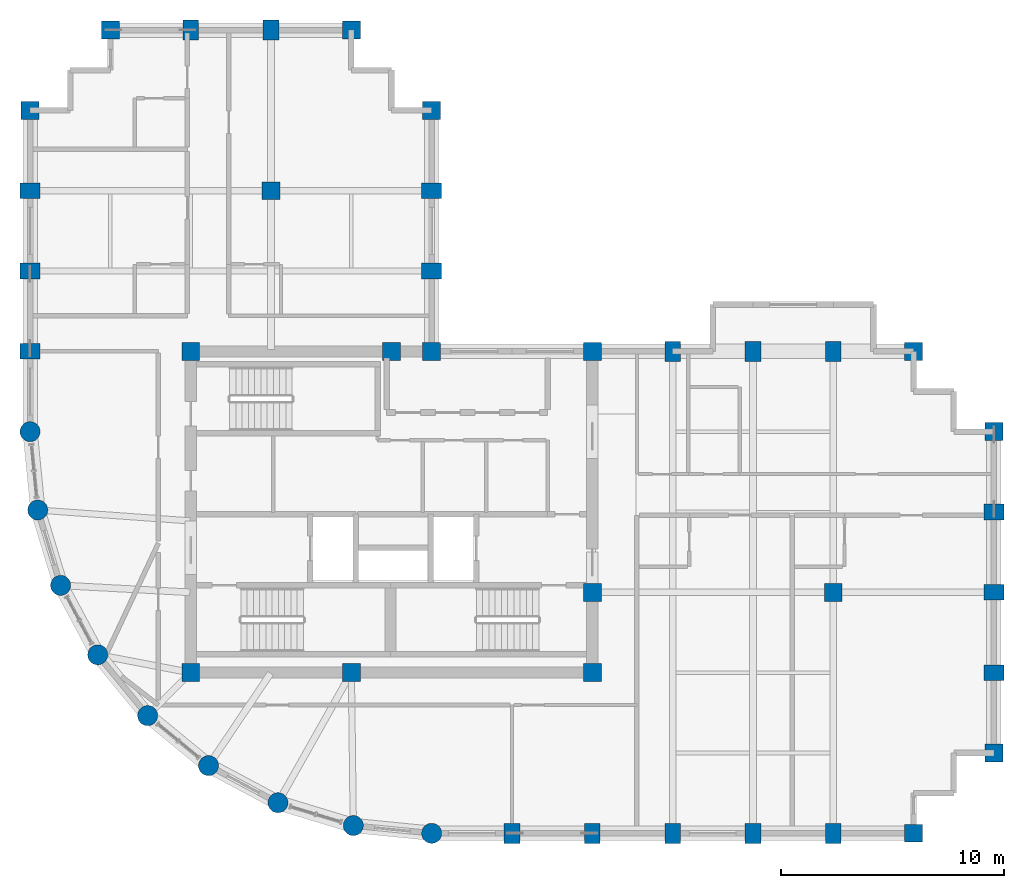
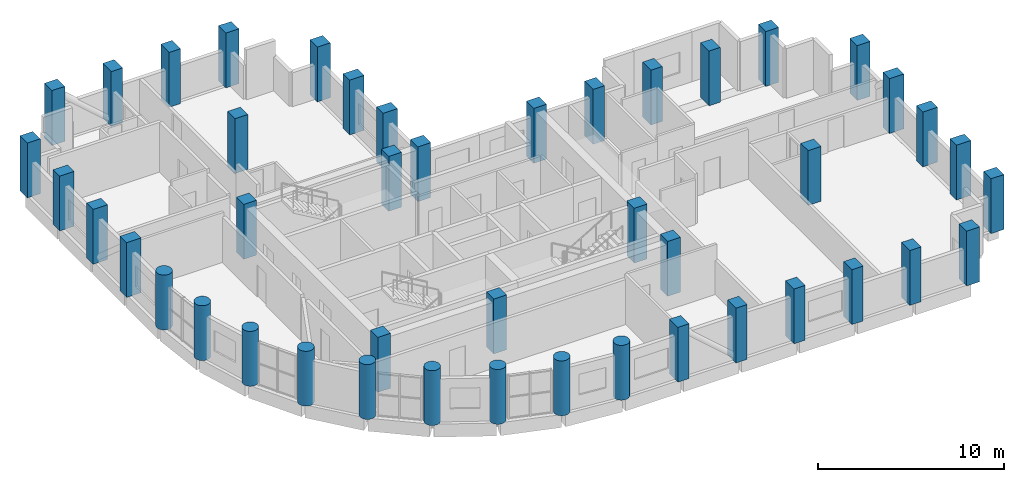
# One storey, part 1 of 11: 45 columns.
"""IFC4 building model written with IfcOpenShell, lengths in metres."""

from ifc_helpers import new_model, si_unit, direction, frame, origin, origin_2d, place, context, subcontext, project, spatial, rectangle, circle, extrude, material, material_profile, profile_set, type_object, element, save


model = new_model("IFC4")

# Units and contexts
model_context = context("Model", 3, precision=1e-05, world=origin(), true_north=direction((0.0, 1.0)))
body_context = subcontext(model_context, "Body", "Model", "MODEL_VIEW")
ifc_project = project(units=[si_unit("LENGTHUNIT", "METRE"), si_unit("AREAUNIT", "SQUARE_METRE"), si_unit("VOLUMEUNIT", "CUBIC_METRE"), si_unit("PLANEANGLEUNIT", "RADIAN"), si_unit("MASSUNIT", "GRAM", prefix="KILO")], contexts=[model_context])

# Site, building, storey
site_placement = place(None, origin())
site = spatial("IfcSite", under=ifc_project, at=site_placement, CompositionType="ELEMENT")
building_placement = place(site_placement, origin())
building = spatial("IfcBuilding", under=site, at=building_placement, Name="Solnavia Interchange Tower", CompositionType="ELEMENT")
storey_placement = place(building_placement, frame((0.0, 0.0, 217.39990234375)))
storey = spatial("IfcBuildingStorey", under=building, at=storey_placement, Name="L54", CompositionType="ELEMENT", Elevation=217.39990234375)

# Columns
ifc_material = material(Name="Concrete C50/60", Category="concrete")
ifc_material_profile_1 = material_profile(ifc_material, rectangle(XDim=0.800048828125, YDim=0.800048828125, at=origin_2d()), Name="RC 800x800")
ifc_profile_set_1 = profile_set([ifc_material_profile_1], Name="Concrete C50/60")
column_type_1 = type_object("IfcColumnType", Name="Col-RC-800x800", PredefinedType="COLUMN", material=ifc_profile_set_1)
for number, where, z_axis, x_axis, name in (
    (1, (7.199951171875, 36.0, 0.0), (0.0, 0.0, 1.0), (0.0, 1.0, 0.0), "COL-L54-05 Tower corner column"),
    (2, (10.800048828125, 39.60009765625, 0.0), (0.0, 0.0, 1.0), (1.0, 0.0, 0.0), "COL-L54-09 Tower corner column"),
    (3, (14.39990234375, 10.800048828125, 0.0), (0.0, 0.0, 1.0), (1.0, 0.0, 0.0), "COL-L54-11 Tower interior column"),
    (4, (14.39990234375, 25.199951171875, 0.0), (0.0, 0.0, 1.0), (1.0, 0.0, 0.0), "COL-L54-12 Tower interior column"),
    (5, (18.0, 32.39990234375, 0.0), (0.0, 0.0, 1.0), (1.0, 0.0, 0.0), "COL-L54-15 Tower interior column"),
    (6, (21.60009765625, 10.800048828125, 0.0), (0.0, 0.0, 1.0), (1.0, 0.0, 0.0), "COL-L54-18 Tower interior column"),
    (7, (21.60009765625, 39.60009765625, 0.0), (0.0, 0.0, 1.0), (1.0, 0.0, 0.0), "COL-L54-19 Tower corner column"),
    (8, (23.39990234375, 25.199951171875, 0.0), (0.0, 0.0, 1.0), (1.0, 0.0, 0.0), "COL-L54-21 Tower interior column"),
    (9, (25.199951171875, 25.199951171875, 0.0), (0.0, 0.0, 1.0), (1.0, 0.0, 0.0), "COL-L54-23 Tower interior column"),
    (10, (25.199951171875, 36.0, 0.0), (0.0, 0.0, 1.0), (0.0, 1.0, 0.0), "COL-L54-26 Tower corner column"),
    (11, (32.39990234375, 10.800048828125, 0.0), (0.0, 0.0, 1.0), (1.0, 0.0, 0.0), "COL-L54-29 Tower interior column"),
    (12, (32.39990234375, 14.39990234375, 0.0), (0.0, 0.0, 1.0), (1.0, 0.0, 0.0), "COL-L54-30 Tower interior column"),
    (13, (32.39990234375, 25.199951171875, 0.0), (0.0, 0.0, 1.0), (1.0, 0.0, 0.0), "COL-L54-31 Tower interior column"),
    (14, (43.199951171875, 14.39990234375, 0.0), (0.0, 0.0, 1.0), (1.0, 0.0, 0.0), "COL-L54-37 Tower interior column"),
    (15, (46.800048828125, 3.60009765625, 0.0), (0.0, 0.0, 1.0), (1.0, 0.0, 0.0), "COL-L54-39 Tower corner column"),
    (16, (46.800048828125, 25.199951171875, 0.0), (0.0, 0.0, 1.0), (1.0, 0.0, 0.0), "COL-L54-40 Tower corner column"),
    (17, (50.39990234375, 7.199951171875, 0.0), (0.0, 0.0, 1.0), (1.0, 0.0, 0.0), "COL-L54-41 Tower corner column"),
    (18, (50.39990234375, 21.60009765625, 0.0), (0.0, 0.0, 1.0), (0.0, 1.0, 0.0), "COL-L54-45 Tower corner column"),
):
    element("IfcColumn", number, at=place(storey_placement, frame(where, z_axis=z_axis, x_axis=x_axis)), inside=storey, type_object=column_type_1, Name=name, PredefinedType="COLUMN", context=body_context, shape_type="SweptSolid", body=[
        extrude(rectangle(XDim=0.800048828125, YDim=0.800048828125, at=origin_2d()), origin(), (0.0, 0.0, 1.0), 3.60009765625),
    ])
ifc_material_profile_2 = material_profile(ifc_material, rectangle(XDim=0.699951171875, YDim=0.89990234375, at=origin_2d()), Name="RC 900x700")
ifc_profile_set_2 = profile_set([ifc_material_profile_2], Name="Concrete C50/60")
column_type_2 = type_object("IfcColumnType", Name="Col-RC-900x700", PredefinedType="COLUMN", material=ifc_profile_set_2)
for number, where, z_axis, x_axis, name in (
    (19, (7.199951171875, 25.199951171875, 0.0), (0.0, 0.0, 1.0), (0.0, 1.0, 0.0), "COL-L54-02 Tower perim y column"),
    (20, (7.199951171875, 28.800048828125, 0.0), (0.0, 0.0, 1.0), (0.0, 1.0, 0.0), "COL-L54-03 Tower perim y column"),
    (21, (7.199951171875, 32.39990234375, 0.0), (0.0, 0.0, 1.0), (0.0, 1.0, 0.0), "COL-L54-04 Tower perim y column"),
    (22, (14.39990234375, 39.60009765625, 0.0), (0.0, 0.0, 1.0), (1.0, 0.0, 0.0), "COL-L54-13 Tower perim x column"),
    (23, (18.0, 39.60009765625, 0.0), (0.0, 0.0, 1.0), (1.0, 0.0, 0.0), "COL-L54-16 Tower perim x column"),
    (24, (25.199951171875, 28.800048828125, 0.0), (0.0, 0.0, 1.0), (0.0, 1.0, 0.0), "COL-L54-24 Tower perim y column"),
    (25, (25.199951171875, 32.39990234375, 0.0), (0.0, 0.0, 1.0), (0.0, 1.0, 0.0), "COL-L54-25 Tower perim y column"),
    (26, (28.800048828125, 3.60009765625, 0.0), (0.0, 0.0, 1.0), (1.0, 0.0, 0.0), "COL-L54-27 Tower perim x column"),
    (27, (32.39990234375, 3.60009765625, 0.0), (0.0, 0.0, 1.0), (1.0, 0.0, 0.0), "COL-L54-28 Tower perim x column"),
    (28, (36.0, 3.60009765625, 0.0), (0.0, 0.0, 1.0), (1.0, 0.0, 0.0), "COL-L54-32 Tower perim x column"),
    (29, (36.0, 25.199951171875, 0.0), (0.0, 0.0, 1.0), (1.0, 0.0, 0.0), "COL-L54-33 Tower perim x column"),
    (30, (39.60009765625, 3.60009765625, 0.0), (0.0, 0.0, 1.0), (1.0, 0.0, 0.0), "COL-L54-34 Tower perim x column"),
    (31, (39.60009765625, 25.199951171875, 0.0), (0.0, 0.0, 1.0), (1.0, 0.0, 0.0), "COL-L54-35 Tower perim x column"),
    (32, (43.199951171875, 3.60009765625, 0.0), (0.0, 0.0, 1.0), (1.0, 0.0, 0.0), "COL-L54-36 Tower perim x column"),
    (33, (43.199951171875, 25.199951171875, 0.0), (0.0, 0.0, 1.0), (1.0, 0.0, 0.0), "COL-L54-38 Tower perim x column"),
    (34, (50.39990234375, 10.800048828125, 0.0), (0.0, 0.0, 1.0), (0.0, 1.0, 0.0), "COL-L54-42 Tower perim y column"),
    (35, (50.39990234375, 14.39990234375, 0.0), (0.0, 0.0, 1.0), (0.0, 1.0, 0.0), "COL-L54-43 Tower perim y column"),
    (36, (50.39990234375, 18.0, 0.0), (0.0, 0.0, 1.0), (0.0, 1.0, 0.0), "COL-L54-44 Tower perim y column"),
):
    element("IfcColumn", number, at=place(storey_placement, frame(where, z_axis=z_axis, x_axis=x_axis)), inside=storey, type_object=column_type_2, Name=name, PredefinedType="COLUMN", context=body_context, shape_type="SweptSolid", body=[
        extrude(rectangle(XDim=0.699951171875, YDim=0.89990234375, at=origin_2d()), origin(), (0.0, 0.0, 1.0), 3.60009765625),
    ])
ifc_material_profile_3 = material_profile(ifc_material, circle(Radius=0.449951171875, at=origin_2d()), Name="RC D900")
ifc_profile_set_3 = profile_set([ifc_material_profile_3], Name="Concrete C50/60")
column_type_3 = type_object("IfcColumnType", Name="Col-RC-D900", PredefinedType="COLUMN", material=ifc_profile_set_3)
for number, where, z_axis, x_axis, name in (
    (37, (7.199951171875, 21.60009765625, 0.0), (0.0, 0.0, 1.0), (1.0, 0.0, 0.0), "COL-L54-01 Tower drum column"),
    (38, (7.5458984375, 18.087890625, 0.0), (0.0, 0.0, 1.0), (1.0, 0.0, 0.0), "COL-L54-06 Tower drum column"),
    (39, (8.570068359375, 14.7119140625, 0.0), (0.0, 0.0, 1.0), (1.0, 0.0, 0.0), "COL-L54-07 Tower drum column"),
    (40, (10.23388671875, 11.60009765625, 0.0), (0.0, 0.0, 1.0), (1.0, 0.0, 0.0), "COL-L54-08 Tower drum column"),
    (41, (12.471923828125, 8.8720703125, 0.0), (0.0, 0.0, 1.0), (1.0, 0.0, 0.0), "COL-L54-10 Tower drum column"),
    (42, (15.199951171875, 6.634033203125, 0.0), (0.0, 0.0, 1.0), (1.0, 0.0, 0.0), "COL-L54-14 Tower drum column"),
    (43, (18.31201171875, 4.969970703125, 0.0), (0.0, 0.0, 1.0), (1.0, 0.0, 0.0), "COL-L54-17 Tower drum column"),
    (44, (21.68798828125, 3.946044921875, 0.0), (0.0, 0.0, 1.0), (1.0, 0.0, 0.0), "COL-L54-20 Tower drum column"),
    (45, (25.199951171875, 3.60009765625, 0.0), (0.0, 0.0, 1.0), (1.0, 0.0, 0.0), "COL-L54-22 Tower drum column"),
):
    element("IfcColumn", number, at=place(storey_placement, frame(where, z_axis=z_axis, x_axis=x_axis)), inside=storey, type_object=column_type_3, Name=name, PredefinedType="COLUMN", context=body_context, shape_type="SweptSolid", body=[
        extrude(circle(Radius=0.449951171875, at=origin_2d()), origin(), (0.0, 0.0, 1.0), 3.60009765625),
    ])

save(model, "model.ifc")
